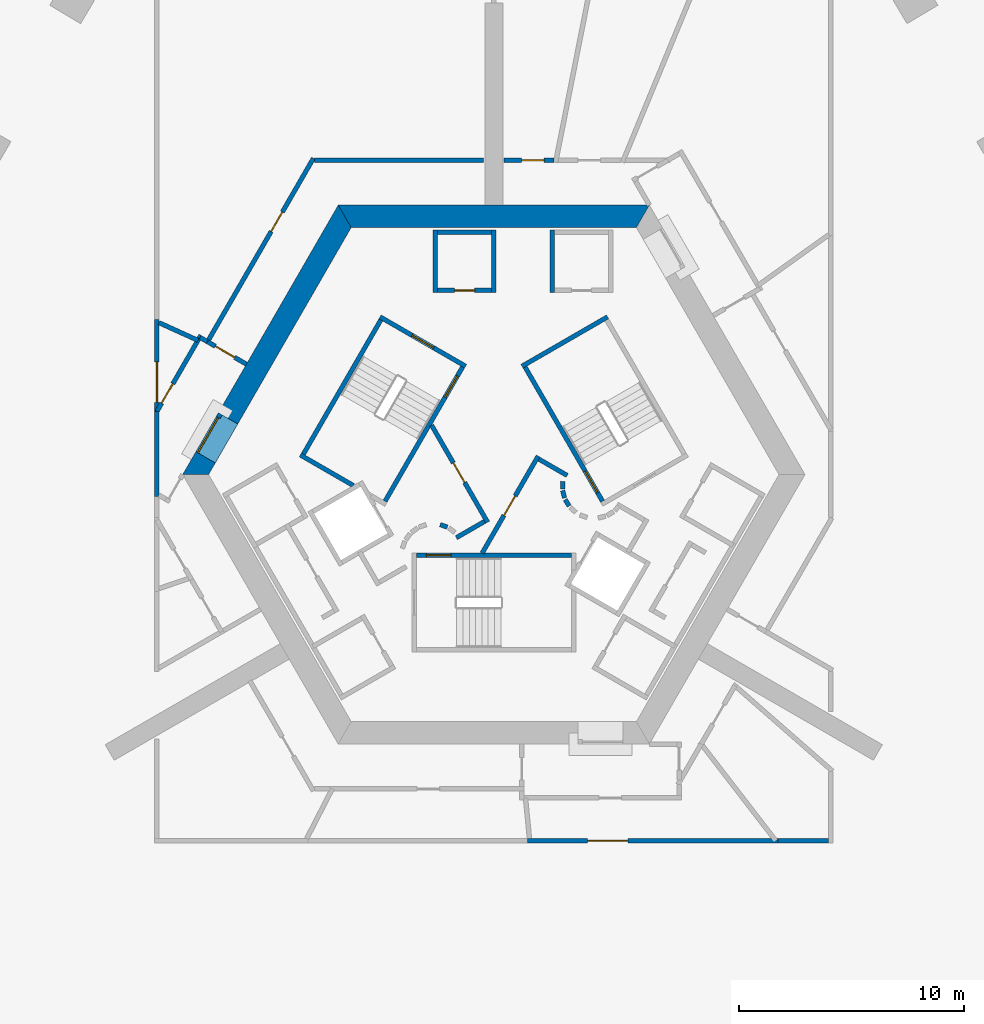
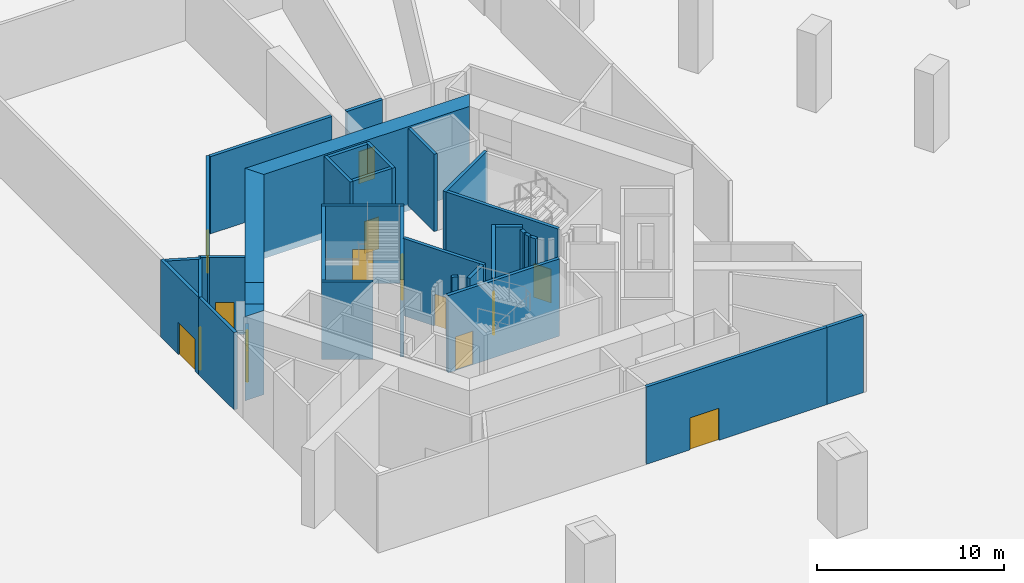
# One storey, part 4 of 12: 36 walls, 14 doors, 14 openings.
"""IFC4 building model written with IfcOpenShell, lengths in metres."""

import ifcopenshell
import ifcopenshell.guid

model = None  # the IFC model being written
_history = None  # IfcOwnerHistory: only IFC2X3 demands one
_inside = {}  # id of a spatial element -> (the spatial element, [elements in it])
_under = {}  # id of a project, library or spatial element -> (it, [spatial elements below it])
_declared = {}  # id of a project -> (the project, [libraries it declares])
_typed = {}  # id of a type object -> (the type object, [elements of that type])
_made_of = {}  # id of a material, layer set ... -> (it, [elements and type objects made of it])


def new_model(schema):
    """Start an empty IFC model of exactly this schema.

    Asked for "IFC4X3", IfcOpenShell would pick the latest addendum, in which some entities
    have other attributes; the version numbers below select the first issue.
    IFC2X3 requires an IfcOwnerHistory on every rooted entity: one is made here for all.
    """
    global model, _history
    if schema == "IFC4X3":
        model = ifcopenshell.file(schema_version=(4, 3, 0, 0))
    else:
        model = ifcopenshell.file(schema=schema)
    _inside.clear()
    _under.clear()
    _declared.clear()
    _typed.clear()
    _made_of.clear()
    _history = None
    if model.schema == "IFC2X3":
        org = make("IfcOrganization", Name="unknown")
        user = make(
            "IfcPersonAndOrganization",
            ThePerson=make("IfcPerson", FamilyName="unknown"),
            TheOrganization=org,
        )
        app = make(
            "IfcApplication",
            ApplicationDeveloper=org,
            Version="unknown",
            ApplicationFullName="unknown",
            ApplicationIdentifier="unknown",
        )
        _history = make(
            "IfcOwnerHistory",
            OwningUser=user,
            OwningApplication=app,
            ChangeAction="ADDED",
            CreationDate=0,
        )
    return model


def make(cls, **values):
    """One entity of the class cls with the attributes given. An attribute that is None is left unset."""
    return model.create_entity(
        cls, **{name: value for name, value in values.items() if value is not None}
    )


def rooted(cls, **values):
    """An entity with a GlobalId (a new one), such as an element, a storey or a relation."""
    return make(cls, GlobalId=ifcopenshell.guid.new(), OwnerHistory=_history, **values)


def si_unit(unit_type, name, prefix=None):
    """IfcSIUnit, for example si_unit("LENGTHUNIT", "METRE", prefix="MILLI")."""
    return make("IfcSIUnit", UnitType=unit_type, Prefix=prefix, Name=name)


def assignment(units):
    """IfcUnitAssignment: the units of a project."""
    return None if units is None else make("IfcUnitAssignment", Units=units)


def point(xyz):
    """IfcCartesianPoint."""
    return None if xyz is None else make("IfcCartesianPoint", Coordinates=xyz)


def direction(xyz):
    """IfcDirection."""
    return None if xyz is None else make("IfcDirection", DirectionRatios=xyz)


def frame(location, z_axis=None, x_axis=None):
    """IfcAxis2Placement3D, a coordinate frame: its origin and axes. An axis left out is left unset."""
    return make(
        "IfcAxis2Placement3D",
        Location=point(location),
        Axis=direction(z_axis),
        RefDirection=direction(x_axis),
    )


def frame_2d(location, x_axis=None):
    """IfcAxis2Placement2D, a coordinate frame in the plane: its origin and x axis."""
    return make(
        "IfcAxis2Placement2D", Location=point(location), RefDirection=direction(x_axis)
    )


def origin():
    """The frame at (0, 0, 0) with its axes left unset."""
    return frame((0.0, 0.0, 0.0))


def place(relative_to, where):
    """IfcLocalPlacement: puts the frame where relative to a parent placement (None: the world)."""
    return make(
        "IfcLocalPlacement", PlacementRelTo=relative_to, RelativePlacement=where
    )


def context(
    kind, dimensions, precision=None, world=None, true_north=None, identifier=None
):
    """IfcGeometricRepresentationContext, for example the 3D "Model" context."""
    return make(
        "IfcGeometricRepresentationContext",
        ContextIdentifier=identifier,
        ContextType=kind,
        CoordinateSpaceDimension=dimensions,
        Precision=precision,
        WorldCoordinateSystem=world,
        TrueNorth=true_north,
    )


def subcontext(parent, identifier, kind, view, scale=None):
    """IfcGeometricRepresentationSubContext, for example "Body" below "Model"."""
    return make(
        "IfcGeometricRepresentationSubContext",
        ContextIdentifier=identifier,
        ContextType=kind,
        ParentContext=parent,
        TargetScale=scale,
        TargetView=view,
    )


def project(units=None, contexts=None):
    """IfcProject with its units and contexts."""
    return rooted(
        "IfcProject",
        Name="project",
        RepresentationContexts=contexts,
        UnitsInContext=assignment(units),
    )


def spatial(cls, under=None, at=None, **own):
    """A site, building, storey or space (cls), placed at a placement, below another one or the project."""
    s = rooted(cls, ObjectPlacement=at, **own)
    if under is not None:
        _under.setdefault(under.id(), (under, []))[1].append(s)
    return s


def polyline(points):
    """IfcPolyline through the points."""
    return make("IfcPolyline", Points=[point(p) for p in points])


def profile(cls, at=None, kind="AREA", **sizes):
    """A parametric profile (cls). Its sizes go by their IFC names, for example OverallWidth=200.0."""
    return make(cls, ProfileType=kind, Position=at, **sizes)


def rectangle(**sizes):
    """IfcRectangleProfileDef."""
    return profile("IfcRectangleProfileDef", **sizes)


def outline(outer, holes=None, kind="AREA"):
    """IfcArbitraryClosedProfileDef: a profile drawn as a closed curve; with holes, ...WithVoids."""
    if holes is None:
        return make("IfcArbitraryClosedProfileDef", ProfileType=kind, OuterCurve=outer)
    return make(
        "IfcArbitraryProfileDefWithVoids",
        ProfileType=kind,
        OuterCurve=outer,
        InnerCurves=holes,
    )


def extrude(swept, where, along, depth):
    """IfcExtrudedAreaSolid: the profile swept, set in the frame where, extruded along a direction by depth."""
    return make(
        "IfcExtrudedAreaSolid",
        SweptArea=swept,
        Position=where,
        ExtrudedDirection=direction(along),
        Depth=depth,
    )


def shape(context_of_items, identifier, shape_type, items):
    """IfcShapeRepresentation: the items that make up one representation, for example the "Body"."""
    return make(
        "IfcShapeRepresentation",
        ContextOfItems=context_of_items,
        RepresentationIdentifier=identifier,
        RepresentationType=shape_type,
        Items=items,
    )


def material(Name=None, Category=None):
    """IfcMaterial."""
    return make("IfcMaterial", Name=Name, Category=Category)


def layer(
    of_material, thickness, ventilated=None, Name=None, Category=None, Priority=None
):
    """IfcMaterialLayer: one layer of a wall or slab, of a material (None: an air gap)."""
    return make(
        "IfcMaterialLayer",
        Material=of_material,
        LayerThickness=thickness,
        IsVentilated=ventilated,
        Name=Name,
        Category=Category,
        Priority=Priority,
    )


def layer_set(layers, Name=None):
    """IfcMaterialLayerSet."""
    return make("IfcMaterialLayerSet", MaterialLayers=layers, LayerSetName=Name)


def made_of(thing, what):
    """Note that an element or type object is made of a material, layer set ...; save() writes the relation."""
    if what is not None:
        _made_of.setdefault(what.id(), (what, []))[1].append(thing)
    return thing


def type_object(cls, material=None, **own):
    """A type object (cls), such as IfcWallType, which elements share."""
    return made_of(rooted(cls, **own), material)


def element(
    cls,
    number,
    at=None,
    inside=None,
    cuts=None,
    type_object=None,
    material=None,
    context=None,
    identifier="Body",
    shape_type=None,
    held_by="IfcProductDefinitionShape",
    body=None,
    shapes=None,
    **own,
):
    """One element of the class cls, such as IfcWall. Its Tag is "e" and its number.

    at: its placement. inside: the storey or other place that contains it. cuts: it is an
    opening in that element (IfcRelVoidsElement). A single representation is given by context,
    identifier, shape_type and body (its items); several are given by shapes. held_by: the class
    of the entity that holds the representations. save() writes the other relations.
    """
    e = rooted(cls, Tag="e%d" % number, ObjectPlacement=at, **own)
    if body is not None:
        shapes = [shape(context, identifier, shape_type, body)]
    if shapes is not None:
        e.Representation = make(held_by, Representations=shapes)
    if inside is not None:
        _inside.setdefault(inside.id(), (inside, []))[1].append(e)
    if cuts is not None:
        rooted(
            "IfcRelVoidsElement", RelatingBuildingElement=cuts, RelatedOpeningElement=e
        )
    if type_object is not None:
        _typed.setdefault(type_object.id(), (type_object, []))[1].append(e)
    return made_of(e, material)


def fill(opening, filler):
    """IfcRelFillsElement: the door or window that sits in an opening."""
    return rooted(
        "IfcRelFillsElement",
        RelatingOpeningElement=opening,
        RelatedBuildingElement=filler,
    )


def aggregate(whole, parts):
    """IfcRelAggregates: a whole, such as a stair, and the parts it consists of."""
    return rooted("IfcRelAggregates", RelatingObject=whole, RelatedObjects=parts)


def save(model, path):
    """Write the relations noted so far, then the file.

    IfcRelAggregates (storeys below a building ...), IfcRelContainedInSpatialStructure (elements
    in a storey), IfcRelDefinesByType, IfcRelAssociatesMaterial and IfcRelDeclares: one each for
    every whole, place, type object, material and project.
    """
    for whole, parts in _under.values():
        aggregate(whole, parts)
    for where, things in _inside.values():
        rooted(
            "IfcRelContainedInSpatialStructure",
            RelatedElements=things,
            RelatingStructure=where,
        )
    for kind, things in _typed.values():
        rooted("IfcRelDefinesByType", RelatedObjects=things, RelatingType=kind)
    for what, things in _made_of.values():
        rooted("IfcRelAssociatesMaterial", RelatedObjects=things, RelatingMaterial=what)
    for by, libraries in _declared.values():
        rooted("IfcRelDeclares", RelatingContext=by, RelatedDefinitions=libraries)
    model.write(path)


model = new_model("IFC4")

# Units and contexts
model_context = context("Model", 3, precision=1e-05, world=origin(), true_north=direction((0.0, 1.0)))
body_context = subcontext(model_context, "Body", "Model", "MODEL_VIEW")
ifc_project = project(units=[si_unit("LENGTHUNIT", "METRE"), si_unit("AREAUNIT", "SQUARE_METRE"), si_unit("VOLUMEUNIT", "CUBIC_METRE"), si_unit("PLANEANGLEUNIT", "RADIAN"), si_unit("MASSUNIT", "GRAM", prefix="KILO")], contexts=[model_context])

# Site, building, storey
site_placement = place(None, origin())
site = spatial("IfcSite", under=ifc_project, at=site_placement, CompositionType="ELEMENT")
building_placement = place(site_placement, origin())
building = spatial("IfcBuilding", under=site, at=building_placement, Name="Entoto Arch Interchange Tower", CompositionType="ELEMENT")
storey_placement = place(building_placement, frame((0.0, 0.0, -11.0)))
storey = spatial("IfcBuildingStorey", under=building, at=storey_placement, Name="B2", CompositionType="ELEMENT", Elevation=-11.0)

# Wall, opening, door
ifc_material_1 = material(Name="Reinforced concrete C40/50", Category="concrete")
ifc_layer_1 = layer(ifc_material_1, 0.199951171875)
ifc_layer_set_1 = layer_set([ifc_layer_1], Name="Reinforced concrete C40/50")
wall_type_1 = type_object("IfcWallType", Name="CORE GAP INFILL WALL", PredefinedType="PARTITIONING", material=ifc_layer_set_1)
wall_1_placement = place(storey_placement, frame((-12.179931640625, 5.201904296875, 0.0), z_axis=(0.0, 0.0, 1.0), x_axis=(-0.50002537861, -0.866010750942, 0.0)))
wall_1 = element("IfcWall", 1, at=wall_1_placement, inside=storey, type_object=wall_type_1, Name="wall:B2:gap3", PredefinedType="PARTITIONING", context=body_context, shape_type="SweptSolid", body=[
    extrude(rectangle(XDim=2.0, YDim=0.199951171875, at=frame_2d((1.0, 0.0))), origin(), (0.0, 0.0, 1.0), 2.39990234375),
])
opening_1_placement = place(wall_1_placement, frame((0.18994140625, 0.0, 0.0)))
opening_1 = element("IfcOpeningElement", 2, at=opening_1_placement, cuts=wall_1, Name="Opening B2-D93", PredefinedType="OPENING", context=body_context, shape_type="SweptSolid", body=[
    extrude(rectangle(XDim=1.800048828125, YDim=2.10009765625, at=frame_2d((0.89990234375, 1.050048828125))), frame((0.0, 0.10986328125, 0.0), z_axis=(0.0, -1.0, 0.0), x_axis=(1.0, 0.0, 0.0)), (0.0, 0.0, 1.0), 0.219970703125),
])
ifc_material_2 = material(Name="Fire-rated Steel S235 door and frame", Category="steel")
door_type_1 = type_object("IfcDoorType", Name="DOOR FD-18 1800x2100", OperationType="DOUBLE_DOOR_SINGLE_SWING", PredefinedType="DOOR", material=ifc_material_2)
door_1_placement = place(opening_1_placement, origin())
door_1 = element("IfcDoor", 3, at=door_1_placement, inside=storey, type_object=door_type_1, Name="door:B2:gap3", OperationType="DOUBLE_DOOR_SINGLE_SWING", OverallHeight=2.10009765625, OverallWidth=1.800048828125, PredefinedType="DOOR", context=body_context, shape_type="SweptSolid", body=[
    extrude(rectangle(XDim=1.800048828125, YDim=2.10009765625, at=frame_2d((0.89990234375, 1.050048828125))), frame((0.0, 0.02490234375, 0.0), z_axis=(0.0, -1.0, 0.0), x_axis=(1.0, 0.0, 0.0)), (0.0, 0.0, 1.0), 0.050048828125),
])
fill(opening_1, door_1)

# Walls
ifc_material_3 = material(Name="Concrete C60/75", Category="concrete")
ifc_layer_2 = layer(ifc_material_3, 1.0)
ifc_layer_set_2 = layer_set([ifc_layer_2], Name="Concrete C60/75")
wall_type_2 = type_object("IfcWallType", Name="Core wall 1000 C60/75", PredefinedType="SHEAR", material=ifc_layer_set_2)
wall_2_placement = place(storey_placement, frame((0.0, 0.0, -0.419921875)))
element("IfcWall", 4, at=wall_2_placement, inside=storey, type_object=wall_type_2, Name="Core wall N B2", PredefinedType="SHEAR", context=body_context, shape_type="SweptSolid", body=[
    extrude(outline(polyline([(6.927978515625, 14.5), (-6.927978515625, 14.5), (-6.35107421875, 13.5), (6.35107421875, 13.5), (6.927978515625, 14.5)])), origin(), (0.0, 0.0, 1.0), 5.5),
])
wall_3_placement = place(storey_placement, frame((0.0, 0.0, -0.419921875)))
element("IfcWall", 5, at=wall_3_placement, inside=storey, type_object=wall_type_2, Name="Core wall NW B2", PredefinedType="SHEAR", context=body_context, shape_type="SweptSolid", body=[
    extrude(outline(polyline([(-12.26708984375, 5.251953125), (-11.402099609375, 4.751953125), (-6.35107421875, 13.5), (-6.927978515625, 14.5), (-12.26708984375, 5.251953125)])), origin(), (0.0, 0.0, 1.0), 5.5),
])
wall_4_placement = place(storey_placement, frame((0.0, 0.0, -0.419921875)))
element("IfcWall", 6, at=wall_4_placement, inside=storey, type_object=wall_type_2, Name="Core wall NW B2", PredefinedType="SHEAR", context=body_context, shape_type="SweptSolid", body=[
    extrude(outline(polyline([(-12.402099609375, 3.02001953125), (-13.26708984375, 3.52001953125), (-13.85595703125, 2.5), (-12.701904296875, 2.5), (-12.402099609375, 3.02001953125)])), origin(), (0.0, 0.0, 1.0), 5.5),
])
wall_5_placement = place(storey_placement, frame((0.0, 0.0, 3.60009765625)))
element("IfcWall", 7, at=wall_5_placement, inside=storey, type_object=wall_type_2, Name="Core wall lintel NW B2", PredefinedType="SHEAR", context=body_context, shape_type="SweptSolid", body=[
    extrude(outline(polyline([(-13.26708984375, 3.52001953125), (-12.402099609375, 3.02001953125), (-11.402099609375, 4.751953125), (-12.26708984375, 5.251953125), (-13.26708984375, 3.52001953125)])), origin(), (0.0, 0.0, 1.0), 1.47998046875),
])

# Wall, opening, door
ifc_material_4 = material(Name="Gypsum board partition on steel studs", Category="steel")
ifc_layer_3 = layer(ifc_material_4, 0.199951171875)
ifc_layer_set_3 = layer_set([ifc_layer_3], Name="Gypsum board partition on steel studs")
wall_type_3 = type_object("IfcWallType", Name="PARTITION 200", PredefinedType="PARTITIONING", material=ifc_layer_set_3)
wall_6_placement = place(storey_placement, frame((12.65087890625, -13.800048828125, 0.0), z_axis=(0.0, 0.0, 1.0), x_axis=(-1.0, 0.0, 0.0)))
wall_6 = element("IfcWall", 8, at=wall_6_placement, inside=storey, type_object=wall_type_3, Name="wall:B2:p016", PredefinedType="PARTITIONING", context=body_context, shape_type="SweptSolid", body=[
    extrude(rectangle(XDim=11.15380859375, YDim=0.199951171875, at=frame_2d((5.576904296875, 0.0))), origin(), (0.0, 0.0, 1.0), 5.050048828125),
])
opening_2_placement = place(wall_6_placement, frame((6.675048828125, 0.0, 0.0)))
opening_2 = element("IfcOpeningElement", 9, at=opening_2_placement, cuts=wall_6, Name="Opening B2-D20", PredefinedType="OPENING", context=body_context, shape_type="SweptSolid", body=[
    extrude(rectangle(XDim=1.800048828125, YDim=2.10009765625, at=frame_2d((0.89990234375, 1.050048828125))), frame((0.0, 0.10986328125, 0.0), z_axis=(0.0, -1.0, 0.0), x_axis=(1.0, 0.0, 0.0)), (0.0, 0.0, 1.0), 0.219970703125),
])
ifc_material_5 = material(Name="Timber door leaf in Steel S235 frame", Category="steel")
door_type_2 = type_object("IfcDoorType", Name="DOOR DD-18 1800x2100", OperationType="DOUBLE_DOOR_SINGLE_SWING", PredefinedType="DOOR", material=ifc_material_5)
door_2_placement = place(opening_2_placement, origin())
door_2 = element("IfcDoor", 10, at=door_2_placement, inside=storey, type_object=door_type_2, Name="door:B2:20", OperationType="DOUBLE_DOOR_SINGLE_SWING", OverallHeight=2.10009765625, OverallWidth=1.800048828125, PredefinedType="DOOR", context=body_context, shape_type="SweptSolid", body=[
    extrude(rectangle(XDim=1.800048828125, YDim=2.10009765625, at=frame_2d((0.89990234375, 1.050048828125))), frame((0.0, 0.02490234375, 0.0), z_axis=(0.0, -1.0, 0.0), x_axis=(1.0, 0.0, 0.0)), (0.0, 0.0, 1.0), 0.050048828125),
])
fill(opening_2, door_2)

# Wall
wall_7_placement = place(storey_placement, frame((14.89990234375, -13.800048828125, 0.0), z_axis=(0.0, 0.0, 1.0), x_axis=(-1.0, 0.0, 0.0)))
element("IfcWall", 11, at=wall_7_placement, inside=storey, type_object=wall_type_3, Name="wall:B2:p022", PredefinedType="PARTITIONING", context=body_context, shape_type="SweptSolid", body=[
    extrude(rectangle(XDim=2.2490234375, YDim=0.199951171875, at=frame_2d((1.12451171875, 0.0))), origin(), (0.0, 0.0, 1.0), 5.050048828125),
])

# Wall, opening, door
wall_8_placement = place(storey_placement, frame((0.449951171875, 16.5, 0.0), z_axis=(0.0, 0.0, 1.0), x_axis=(1.0, 0.0, 0.0)))
wall_8 = element("IfcWall", 12, at=wall_8_placement, inside=storey, type_object=wall_type_3, Name="wall:B2:p039", PredefinedType="PARTITIONING", context=body_context, shape_type="SweptSolid", body=[
    extrude(rectangle(XDim=2.22216796875, YDim=0.199951171875, at=frame_2d((1.111083984375, 0.0))), origin(), (0.0, 0.0, 1.0), 5.050048828125),
])
opening_3_placement = place(wall_8_placement, frame((0.7919921875, 0.0, 0.0)))
opening_3 = element("IfcOpeningElement", 13, at=opening_3_placement, cuts=wall_8, Name="Opening B2-D12", PredefinedType="OPENING", context=body_context, shape_type="SweptSolid", body=[
    extrude(rectangle(XDim=1.0, YDim=2.10009765625, at=frame_2d((0.5, 1.050048828125))), frame((0.0, 0.10986328125, 0.0), z_axis=(0.0, -1.0, 0.0), x_axis=(1.0, 0.0, 0.0)), (0.0, 0.0, 1.0), 0.219970703125),
])
door_type_3 = type_object("IfcDoorType", Name="DOOR FD-10 1000x2100", OperationType="SINGLE_SWING_LEFT", PredefinedType="DOOR", material=ifc_material_2)
door_3_placement = place(opening_3_placement, origin())
door_3 = element("IfcDoor", 14, at=door_3_placement, inside=storey, type_object=door_type_3, Name="door:B2:12", OperationType="SINGLE_SWING_RIGHT", OverallHeight=2.10009765625, OverallWidth=1.0, PredefinedType="DOOR", context=body_context, shape_type="SweptSolid", body=[
    extrude(rectangle(XDim=1.0, YDim=2.10009765625, at=frame_2d((0.5, 1.050048828125))), frame((0.0, 0.02490234375, 0.0), z_axis=(0.0, -1.0, 0.0), x_axis=(1.0, 0.0, 0.0)), (0.0, 0.0, 1.0), 0.050048828125),
])
fill(opening_3, door_3)

wall_9_placement = place(storey_placement, frame((-12.7490234375, 8.4169921875, 0.0), z_axis=(0.0, 0.0, 1.0), x_axis=(0.866010750942, -0.50002537861, 0.0)))
wall_9 = element("IfcWall", 15, at=wall_9_placement, inside=storey, type_object=wall_type_3, Name="wall:B2:p049", PredefinedType="PARTITIONING", context=body_context, shape_type="SweptSolid", body=[
    extrude(rectangle(XDim=2.0, YDim=0.199951171875, at=frame_2d((1.0, 0.0))), origin(), (0.0, 0.0, 1.0), 5.050048828125),
])
opening_4_placement = place(wall_9_placement, frame((0.39990234375, 0.0, 0.0)))
opening_4 = element("IfcOpeningElement", 16, at=opening_4_placement, cuts=wall_9, Name="Opening B2-D13", PredefinedType="OPENING", context=body_context, shape_type="SweptSolid", body=[
    extrude(rectangle(XDim=1.0, YDim=2.10009765625, at=frame_2d((0.5, 1.050048828125))), frame((0.0, 0.10986328125, 0.0), z_axis=(0.0, -1.0, 0.0), x_axis=(1.0, 0.0, 0.0)), (0.0, 0.0, 1.0), 0.219970703125),
])
door_4_placement = place(opening_4_placement, origin())
door_4 = element("IfcDoor", 17, at=door_4_placement, inside=storey, type_object=door_type_3, Name="door:B2:13", OperationType="SINGLE_SWING_LEFT", OverallHeight=2.10009765625, OverallWidth=1.0, PredefinedType="DOOR", context=body_context, shape_type="SweptSolid", body=[
    extrude(rectangle(XDim=1.0, YDim=2.10009765625, at=frame_2d((0.5, 1.050048828125))), frame((0.0, 0.02490234375, 0.0), z_axis=(0.0, -1.0, 0.0), x_axis=(1.0, 0.0, 0.0)), (0.0, 0.0, 1.0), 0.050048828125),
])
fill(opening_4, door_4)

wall_10_placement = place(storey_placement, frame((-15.0, 5.318115234375, 0.0), z_axis=(0.0, 0.0, 1.0), x_axis=(0.500034145141, 0.866005689181, 0.0)))
wall_10 = element("IfcWall", 18, at=wall_10_placement, inside=storey, type_object=wall_type_3, Name="wall:B2:p052", PredefinedType="PARTITIONING", context=body_context, shape_type="SweptSolid", body=[
    extrude(rectangle(XDim=3.909912109375, YDim=0.199951171875, at=frame_2d((1.955078125, 0.0))), origin(), (0.0, 0.0, 1.0), 5.050048828125),
])
opening_5_placement = place(wall_10_placement, frame((0.41796875, 0.0, 0.0)))
opening_5 = element("IfcOpeningElement", 19, at=opening_5_placement, cuts=wall_10, Name="Opening B2-D15", PredefinedType="OPENING", context=body_context, shape_type="SweptSolid", body=[
    extrude(rectangle(XDim=1.0, YDim=2.10009765625, at=frame_2d((0.5, 1.050048828125))), frame((0.0, 0.10986328125, 0.0), z_axis=(0.0, -1.0, 0.0), x_axis=(1.0, 0.0, 0.0)), (0.0, 0.0, 1.0), 0.219970703125),
])
door_5_placement = place(opening_5_placement, origin())
door_5 = element("IfcDoor", 20, at=door_5_placement, inside=storey, type_object=door_type_3, Name="door:B2:15", OperationType="SINGLE_SWING_LEFT", OverallHeight=2.10009765625, OverallWidth=1.0, PredefinedType="DOOR", context=body_context, shape_type="SweptSolid", body=[
    extrude(rectangle(XDim=1.0, YDim=2.10009765625, at=frame_2d((0.5, 1.050048828125))), frame((0.0, 0.02490234375, 0.0), z_axis=(0.0, -1.0, 0.0), x_axis=(1.0, 0.0, 0.0)), (0.0, 0.0, 1.0), 0.050048828125),
])
fill(opening_5, door_5)

# Walls
wall_11_placement = place(storey_placement, frame((-13.08203125, 8.60888671875, 0.0), z_axis=(0.0, 0.0, 1.0), x_axis=(0.865998573537, -0.500046468473, 0.0)))
element("IfcWall", 21, at=wall_11_placement, inside=storey, type_object=wall_type_3, Name="wall:B2:p053", PredefinedType="PARTITIONING", context=body_context, shape_type="SweptSolid", body=[
    extrude(rectangle(XDim=0.36962890625, YDim=0.199951171875, at=frame_2d((0.184814453125, 0.0))), origin(), (0.0, 0.0, 1.0), 5.050048828125),
])
wall_12_placement = place(storey_placement, frame((-15.0, 1.533935546875, 0.0), z_axis=(0.0, 0.0, 1.0), x_axis=(0.0, 1.0, 0.0)))
element("IfcWall", 22, at=wall_12_placement, inside=storey, type_object=wall_type_3, Name="wall:B2:p054", PredefinedType="PARTITIONING", context=body_context, shape_type="SweptSolid", body=[
    extrude(rectangle(XDim=3.7841796875, YDim=0.199951171875, at=frame_2d((1.89208984375, 0.0))), origin(), (0.0, 0.0, 1.0), 5.050048828125),
])

# Wall, opening, door
wall_13_placement = place(storey_placement, frame((-12.799072265625, 8.330078125, 0.0), z_axis=(0.0, 0.0, 1.0), x_axis=(0.499923440311, 0.86606960103, 0.0)))
wall_13 = element("IfcWall", 23, at=wall_13_placement, inside=storey, type_object=wall_type_3, Name="wall:B2:p055", PredefinedType="PARTITIONING", context=body_context, shape_type="SweptSolid", body=[
    extrude(rectangle(XDim=9.53369140625, YDim=0.199951171875, at=frame_2d((4.766845703125, 0.0))), origin(), (0.0, 0.0, 1.0), 5.050048828125),
])
opening_6_placement = place(wall_13_placement, frame((5.76611328125, 0.0, 0.0)))
opening_6 = element("IfcOpeningElement", 24, at=opening_6_placement, cuts=wall_13, Name="Opening B2-D16", PredefinedType="OPENING", context=body_context, shape_type="SweptSolid", body=[
    extrude(rectangle(XDim=1.0, YDim=2.10009765625, at=frame_2d((0.5, 1.050048828125))), frame((0.0, 0.10986328125, 0.0), z_axis=(0.0, -1.0, 0.0), x_axis=(1.0, 0.0, 0.0)), (0.0, 0.0, 1.0), 0.219970703125),
])
door_6_placement = place(opening_6_placement, origin())
door_6 = element("IfcDoor", 25, at=door_6_placement, inside=storey, type_object=door_type_3, Name="door:B2:16", OperationType="SINGLE_SWING_RIGHT", OverallHeight=2.10009765625, OverallWidth=1.0, PredefinedType="DOOR", context=body_context, shape_type="SweptSolid", body=[
    extrude(rectangle(XDim=1.0, YDim=2.10009765625, at=frame_2d((0.5, 1.050048828125))), frame((0.0, 0.02490234375, 0.0), z_axis=(0.0, -1.0, 0.0), x_axis=(1.0, 0.0, 0.0)), (0.0, 0.0, 1.0), 0.050048828125),
])
fill(opening_6, door_6)

# Walls
wall_14_placement = place(storey_placement, frame((-7.98291015625, 16.5, 0.0), z_axis=(0.0, 0.0, 1.0), x_axis=(1.0, 0.0, 0.0)))
element("IfcWall", 26, at=wall_14_placement, inside=storey, type_object=wall_type_3, Name="wall:B2:p056", PredefinedType="PARTITIONING", context=body_context, shape_type="SweptSolid", body=[
    extrude(rectangle(XDim=7.532958984375, YDim=0.199951171875, at=frame_2d((3.7666015625, 0.0))), origin(), (0.0, 0.0, 1.0), 5.050048828125),
])
wall_15_placement = place(storey_placement, frame((-14.908935546875, 9.263916015625, 0.0), z_axis=(0.0, 0.0, 1.0), x_axis=(0.910722060418, -0.41301976789, 0.0)))
element("IfcWall", 27, at=wall_15_placement, inside=storey, type_object=wall_type_3, Name="wall:B2:p061", PredefinedType="PARTITIONING", context=body_context, shape_type="SweptSolid", body=[
    extrude(rectangle(XDim=1.90283203125, YDim=0.199951171875, at=frame_2d((0.951416015625, 0.0))), origin(), (0.0, 0.0, 1.0), 5.050048828125),
])

# Wall, opening, door
wall_16_placement = place(storey_placement, frame((-15.0, 5.318115234375, 0.0), z_axis=(0.0, 0.0, 1.0), x_axis=(0.0, 1.0, 0.0)))
wall_16 = element("IfcWall", 28, at=wall_16_placement, inside=storey, type_object=wall_type_3, Name="wall:B2:p062", PredefinedType="PARTITIONING", context=body_context, shape_type="SweptSolid", body=[
    extrude(rectangle(XDim=4.0869140625, YDim=0.199951171875, at=frame_2d((2.04345703125, 0.0))), origin(), (0.0, 0.0, 1.0), 5.050048828125),
])
opening_7_placement = place(wall_16_placement, frame((0.39990234375, 0.0, 0.0)))
opening_7 = element("IfcOpeningElement", 29, at=opening_7_placement, cuts=wall_16, Name="Opening B2-D22", PredefinedType="OPENING", context=body_context, shape_type="SweptSolid", body=[
    extrude(rectangle(XDim=1.800048828125, YDim=2.10009765625, at=frame_2d((0.89990234375, 1.050048828125))), frame((0.0, 0.10986328125, 0.0), z_axis=(0.0, -1.0, 0.0), x_axis=(1.0, 0.0, 0.0)), (0.0, 0.0, 1.0), 0.219970703125),
])
door_7_placement = place(opening_7_placement, origin())
door_7 = element("IfcDoor", 30, at=door_7_placement, inside=storey, type_object=door_type_2, Name="door:B2:22", OperationType="DOUBLE_DOOR_SINGLE_SWING", OverallHeight=2.10009765625, OverallWidth=1.800048828125, PredefinedType="DOOR", context=body_context, shape_type="SweptSolid", body=[
    extrude(rectangle(XDim=1.800048828125, YDim=2.10009765625, at=frame_2d((0.89990234375, 1.050048828125))), frame((0.0, 0.02490234375, 0.0), z_axis=(0.0, -1.0, 0.0), x_axis=(1.0, 0.0, 0.0)), (0.0, 0.0, 1.0), 0.050048828125),
])
fill(opening_7, door_7)

# Walls
for number, where, z_axis, x_axis, name in (
    (31, (2.60009765625, 10.60009765625, 0.0), (0.0, 0.0, 1.0), (0.0, 1.0, 0.0), "wall:B2:p071"),
    (32, (0.0, 13.39990234375, 0.0), (0.0, 0.0, 1.0), (0.0, -1.0, 0.0), "wall:B2:p073"),
):
    element("IfcWall", number, at=place(storey_placement, frame(where, z_axis=z_axis, x_axis=x_axis)), inside=storey, type_object=wall_type_3, Name=name, PredefinedType="PARTITIONING", context=body_context, shape_type="SweptSolid", body=[
        extrude(rectangle(XDim=2.7998046875, YDim=0.199951171875, at=frame_2d((1.39990234375, 0.0))), origin(), (0.0, 0.0, 1.0), 5.050048828125),
    ])

# Wall, opening, door
wall_17_placement = place(storey_placement, frame((-0.10009765625, 10.699951171875, 0.0), z_axis=(0.0, 0.0, 1.0), x_axis=(-1.0, 0.0, 0.0)))
wall_17 = element("IfcWall", 33, at=wall_17_placement, inside=storey, type_object=wall_type_3, Name="wall:B2:p074", PredefinedType="PARTITIONING", context=body_context, shape_type="SweptSolid", body=[
    extrude(rectangle(XDim=2.39990234375, YDim=0.199951171875, at=frame_2d((1.199951171875, 0.0))), origin(), (0.0, 0.0, 1.0), 5.050048828125),
])
opening_8_placement = place(wall_17_placement, frame((0.75, 0.0, 0.0)))
opening_8 = element("IfcOpeningElement", 34, at=opening_8_placement, cuts=wall_17, Name="Opening B2-D26", PredefinedType="OPENING", context=body_context, shape_type="SweptSolid", body=[
    extrude(rectangle(XDim=0.89990234375, YDim=2.10009765625, at=frame_2d((0.449951171875, 1.050048828125))), frame((0.0, 0.10986328125, 0.0), z_axis=(0.0, -1.0, 0.0), x_axis=(1.0, 0.0, 0.0)), (0.0, 0.0, 1.0), 0.219970703125),
])
door_type_4 = type_object("IfcDoorType", Name="DOOR DS-09 900x2100", OperationType="SINGLE_SWING_LEFT", PredefinedType="DOOR", material=ifc_material_5)
door_8_placement = place(opening_8_placement, origin())
door_8 = element("IfcDoor", 35, at=door_8_placement, inside=storey, type_object=door_type_4, Name="door:B2:26", OperationType="SINGLE_SWING_RIGHT", OverallHeight=2.10009765625, OverallWidth=0.89990234375, PredefinedType="DOOR", context=body_context, shape_type="SweptSolid", body=[
    extrude(rectangle(XDim=0.89990234375, YDim=2.10009765625, at=frame_2d((0.449951171875, 1.050048828125))), frame((0.0, 0.02490234375, 0.0), z_axis=(0.0, -1.0, 0.0), x_axis=(1.0, 0.0, 0.0)), (0.0, 0.0, 1.0), 0.050048828125),
])
fill(opening_8, door_8)

# Walls
wall_18_placement = place(storey_placement, frame((-2.60009765625, 10.60009765625, 0.0), z_axis=(0.0, 0.0, 1.0), x_axis=(0.0, 1.0, 0.0)))
element("IfcWall", 36, at=wall_18_placement, inside=storey, type_object=wall_type_3, Name="wall:B2:p075", PredefinedType="PARTITIONING", context=body_context, shape_type="SweptSolid", body=[
    extrude(rectangle(XDim=2.7998046875, YDim=0.199951171875, at=frame_2d((1.39990234375, 0.0))), origin(), (0.0, 0.0, 1.0), 5.050048828125),
])
wall_19_placement = place(storey_placement, frame((-2.5, 13.300048828125, 0.0), z_axis=(0.0, 0.0, 1.0), x_axis=(1.0, 0.0, 0.0)))
element("IfcWall", 37, at=wall_19_placement, inside=storey, type_object=wall_type_3, Name="wall:B2:p076", PredefinedType="PARTITIONING", context=body_context, shape_type="SweptSolid", body=[
    extrude(rectangle(XDim=2.39990234375, YDim=0.199951171875, at=frame_2d((1.199951171875, 0.0))), origin(), (0.0, 0.0, 1.0), 5.050048828125),
])
wall_20_placement = place(storey_placement, frame((3.0791015625, 2.198974609375, 0.0), z_axis=(0.0, 0.0, 1.0), x_axis=(-0.047771483479, -0.998858290933, 0.0)))
element("IfcWall", 38, at=wall_20_placement, inside=storey, type_object=wall_type_3, Name="wall:B2:p101", PredefinedType="PARTITIONING", context=body_context, shape_type="SweptSolid", body=[
    extrude(rectangle(XDim=0.33740234375, YDim=0.199951171875, at=frame_2d((0.168701171875, 0.0))), origin(), (0.0, 0.0, 1.0), 5.050048828125),
])
wall_21_placement = place(storey_placement, frame((3.070068359375, 1.785888671875, 0.0), z_axis=(0.0, 0.0, 1.0), x_axis=(0.242705583207, -0.970099994784, 0.0)))
element("IfcWall", 39, at=wall_21_placement, inside=storey, type_object=wall_type_3, Name="wall:B2:p102", PredefinedType="PARTITIONING", context=body_context, shape_type="SweptSolid", body=[
    extrude(rectangle(XDim=0.337890625, YDim=0.199951171875, at=frame_2d((0.1689453125, 0.0))), origin(), (0.0, 0.0, 1.0), 5.050048828125),
])
wall_22_placement = place(storey_placement, frame((3.181884765625, 1.387939453125, 0.0), z_axis=(0.0, 0.0, 1.0), x_axis=(0.512474702713, -0.85870232274, 0.0)))
element("IfcWall", 40, at=wall_22_placement, inside=storey, type_object=wall_type_3, Name="wall:B2:p103", PredefinedType="PARTITIONING", context=body_context, shape_type="SweptSolid", body=[
    extrude(rectangle(XDim=0.337646484375, YDim=0.199951171875, at=frame_2d((0.1689453125, 0.0))), origin(), (0.0, 0.0, 1.0), 5.050048828125),
])

# Wall, opening, door
wall_23_placement = place(storey_placement, frame((-0.52001953125, -1.0, 0.0), z_axis=(0.0, 0.0, 1.0), x_axis=(0.50011622646, 0.865958290007, 0.0)))
wall_23 = element("IfcWall", 41, at=wall_23_placement, inside=storey, type_object=wall_type_3, Name="wall:B2:p111", PredefinedType="PARTITIONING", context=body_context, shape_type="SweptSolid", body=[
    extrude(rectangle(XDim=4.990966796875, YDim=0.199951171875, at=frame_2d((2.49560546875, 0.0))), origin(), (0.0, 0.0, 1.0), 5.050048828125),
])
opening_9_placement = place(wall_23_placement, frame((1.945068359375, 0.0, 0.0)))
opening_9 = element("IfcOpeningElement", 42, at=opening_9_placement, cuts=wall_23, Name="Opening B2-D23", PredefinedType="OPENING", context=body_context, shape_type="SweptSolid", body=[
    extrude(rectangle(XDim=1.0, YDim=2.10009765625, at=frame_2d((0.5, 1.050048828125))), frame((0.0, 0.10986328125, 0.0), z_axis=(0.0, -1.0, 0.0), x_axis=(1.0, 0.0, 0.0)), (0.0, 0.0, 1.0), 0.219970703125),
])
door_9_placement = place(opening_9_placement, origin())
door_9 = element("IfcDoor", 43, at=door_9_placement, inside=storey, type_object=door_type_3, Name="door:B2:23", OperationType="SINGLE_SWING_LEFT", OverallHeight=2.10009765625, OverallWidth=1.0, PredefinedType="DOOR", context=body_context, shape_type="SweptSolid", body=[
    extrude(rectangle(XDim=1.0, YDim=2.10009765625, at=frame_2d((0.5, 1.050048828125))), frame((0.0, 0.02490234375, 0.0), z_axis=(0.0, -1.0, 0.0), x_axis=(1.0, 0.0, 0.0)), (0.0, 0.0, 1.0), 0.050048828125),
])
fill(opening_9, door_9)

# Walls
wall_24_placement = place(storey_placement, frame((2.011962890625, 3.18603515625, 0.0), z_axis=(0.0, 0.0, 1.0), x_axis=(0.865891012941, -0.500232699559, 0.0)))
element("IfcWall", 44, at=wall_24_placement, inside=storey, type_object=wall_type_3, Name="wall:B2:p112", PredefinedType="PARTITIONING", context=body_context, shape_type="SweptSolid", body=[
    extrude(rectangle(XDim=1.449462890625, YDim=0.199951171875, at=frame_2d((0.724609375, 0.0))), origin(), (0.0, 0.0, 1.0), 5.050048828125),
])
wall_25_placement = place(storey_placement, frame((-0.412109375, 0.4140625, 0.0), z_axis=(0.0, 0.0, 1.0), x_axis=(-0.866017369001, -0.500013916395, 0.0)))
element("IfcWall", 45, at=wall_25_placement, inside=storey, type_object=wall_type_3, Name="wall:B2:p113", PredefinedType="PARTITIONING", context=body_context, shape_type="SweptSolid", body=[
    extrude(rectangle(XDim=1.4501953125, YDim=0.199951171875, at=frame_2d((0.72509765625, 0.0))), origin(), (0.0, 0.0, 1.0), 5.050048828125),
])
wall_26_placement = place(storey_placement, frame((-2.070068359375, 0.159912109375, 0.0), z_axis=(0.0, 0.0, 1.0), x_axis=(-0.942199461132, 0.335052496547, 0.0)))
element("IfcWall", 46, at=wall_26_placement, inside=storey, type_object=wall_type_3, Name="wall:B2:p115", PredefinedType="PARTITIONING", context=body_context, shape_type="SweptSolid", body=[
    extrude(rectangle(XDim=0.33740234375, YDim=0.199951171875, at=frame_2d((0.168701171875, 0.0))), origin(), (0.0, 0.0, 1.0), 5.050048828125),
])

# Wall, opening, door
wall_27_placement = place(storey_placement, frame((-2.77099609375, 4.699951171875, 0.0), z_axis=(0.0, 0.0, 1.0), x_axis=(0.499969479948, -0.866043023828, 0.0)))
wall_27 = element("IfcWall", 47, at=wall_27_placement, inside=storey, type_object=wall_type_3, Name="wall:B2:p122", PredefinedType="PARTITIONING", context=body_context, shape_type="SweptSolid", body=[
    extrude(rectangle(XDim=4.990478515625, YDim=0.199951171875, at=frame_2d((2.4951171875, 0.0))), origin(), (0.0, 0.0, 1.0), 5.050048828125),
])
opening_10_placement = place(wall_27_placement, frame((1.945068359375, 0.0, 0.0)))
opening_10 = element("IfcOpeningElement", 48, at=opening_10_placement, cuts=wall_27, Name="Opening B2-D24", PredefinedType="OPENING", context=body_context, shape_type="SweptSolid", body=[
    extrude(rectangle(XDim=1.0, YDim=2.10009765625, at=frame_2d((0.5, 1.050048828125))), frame((0.0, 0.10986328125, 0.0), z_axis=(0.0, -1.0, 0.0), x_axis=(1.0, 0.0, 0.0)), (0.0, 0.0, 1.0), 0.219970703125),
])
door_10_placement = place(opening_10_placement, origin())
door_10 = element("IfcDoor", 49, at=door_10_placement, inside=storey, type_object=door_type_3, Name="door:B2:24", OperationType="SINGLE_SWING_RIGHT", OverallHeight=2.10009765625, OverallWidth=1.0, PredefinedType="DOOR", context=body_context, shape_type="SweptSolid", body=[
    extrude(rectangle(XDim=1.0, YDim=2.10009765625, at=frame_2d((0.5, 1.050048828125))), frame((0.0, 0.02490234375, 0.0), z_axis=(0.0, -1.0, 0.0), x_axis=(1.0, 0.0, 0.0)), (0.0, 0.0, 1.0), 0.050048828125),
])
fill(opening_10, door_10)

ifc_material_6 = material(Name="Concrete C40/50", Category="concrete")
ifc_layer_4 = layer(ifc_material_6, 0.199951171875)
ifc_layer_set_4 = layer_set([ifc_layer_4], Name="Concrete C40/50")
wall_type_4 = type_object("IfcWallType", Name="STAIR ENCLOSURE WALL 200", PredefinedType="STANDARD", material=ifc_layer_set_4)
wall_28_placement = place(storey_placement, frame((-3.449951171875, -1.10009765625, 0.0), z_axis=(0.0, 0.0, 1.0), x_axis=(1.0, 0.0, 0.0)))
wall_28 = element("IfcWall", 50, at=wall_28_placement, inside=storey, type_object=wall_type_4, Name="Stair wall ST-S hall", PredefinedType="STANDARD", context=body_context, shape_type="SweptSolid", body=[
    extrude(rectangle(XDim=6.89990234375, YDim=0.199951171875, at=frame_2d((3.449951171875, 0.0))), origin(), (0.0, 0.0, 1.0), 5.050048828125),
])
opening_11_placement = place(wall_28_placement, frame((0.449951171875, 0.0, 0.0)))
opening_11 = element("IfcOpeningElement", 51, at=opening_11_placement, cuts=wall_28, Name="Opening SD-ST-S-B2", PredefinedType="OPENING", context=body_context, shape_type="SweptSolid", body=[
    extrude(rectangle(XDim=1.10009765625, YDim=2.199951171875, at=frame_2d((0.550048828125, 1.10009765625))), frame((0.0, 0.10986328125, 0.0), z_axis=(0.0, -1.0, 0.0), x_axis=(1.0, 0.0, 0.0)), (0.0, 0.0, 1.0), 0.219970703125),
])
ifc_material_7 = material(Name="Steel S235", Category="steel")
door_type_5 = type_object("IfcDoorType", Name="STAIR DOOR SD1 1100x2200", OperationType="SINGLE_SWING_LEFT", PredefinedType="DOOR", material=ifc_material_7)
door_11_placement = place(opening_11_placement, origin())
door_11 = element("IfcDoor", 52, at=door_11_placement, inside=storey, type_object=door_type_5, Name="Stair door ST-S B2", OperationType="SINGLE_SWING_LEFT", OverallHeight=2.199951171875, OverallWidth=1.10009765625, PredefinedType="DOOR", context=body_context, shape_type="SweptSolid", body=[
    extrude(rectangle(XDim=1.10009765625, YDim=2.199951171875, at=frame_2d((0.550048828125, 1.10009765625))), frame((0.0, 0.02490234375, 0.0), z_axis=(0.0, -1.0, 0.0), x_axis=(1.0, 0.0, 0.0)), (0.0, 0.0, 1.0), 0.050048828125),
])
fill(opening_11, door_11)

# Wall
wall_29_placement = place(storey_placement, frame((1.256103515625, 7.323974609375, 0.0), z_axis=(0.0, 0.0, 1.0), x_axis=(0.866046073146, 0.499964197906, 0.0)))
element("IfcWall", 53, at=wall_29_placement, inside=storey, type_object=wall_type_4, Name="Stair wall ST-NE far", PredefinedType="STANDARD", context=body_context, shape_type="SweptSolid", body=[
    extrude(rectangle(XDim=4.400146484375, YDim=0.199951171875, at=frame_2d((2.2001953125, 0.0))), origin(), (0.0, 0.0, 1.0), 5.050048828125),
])

# Wall, opening, door
wall_30_placement = place(storey_placement, frame((4.843017578125, 1.31201171875, 0.0), z_axis=(0.0, 0.0, 1.0), x_axis=(-0.499963383562, 0.866046543262, 0.0)))
wall_30 = element("IfcWall", 54, at=wall_30_placement, inside=storey, type_object=wall_type_4, Name="Stair wall ST-NE hall", PredefinedType="STANDARD", context=body_context, shape_type="SweptSolid", body=[
    extrude(rectangle(XDim=6.900390625, YDim=0.199951171875, at=frame_2d((3.4501953125, 0.0))), origin(), (0.0, 0.0, 1.0), 5.050048828125),
])
opening_12_placement = place(wall_30_placement, frame((0.449951171875, 0.0, 0.0)))
opening_12 = element("IfcOpeningElement", 55, at=opening_12_placement, cuts=wall_30, Name="Opening SD-ST-NE-B2", PredefinedType="OPENING", context=body_context, shape_type="SweptSolid", body=[
    extrude(rectangle(XDim=1.10009765625, YDim=2.199951171875, at=frame_2d((0.550048828125, 1.10009765625))), frame((0.0, 0.10986328125, 0.0), z_axis=(0.0, -1.0, 0.0), x_axis=(1.0, 0.0, 0.0)), (0.0, 0.0, 1.0), 0.219970703125),
])
door_12_placement = place(opening_12_placement, origin())
door_12 = element("IfcDoor", 56, at=door_12_placement, inside=storey, type_object=door_type_5, Name="Stair door ST-NE B2", OperationType="SINGLE_SWING_LEFT", OverallHeight=2.199951171875, OverallWidth=1.10009765625, PredefinedType="DOOR", context=body_context, shape_type="SweptSolid", body=[
    extrude(rectangle(XDim=1.10009765625, YDim=2.199951171875, at=frame_2d((0.550048828125, 1.10009765625))), frame((0.0, 0.02490234375, 0.0), z_axis=(0.0, -1.0, 0.0), x_axis=(1.0, 0.0, 0.0)), (0.0, 0.0, 1.0), 0.050048828125),
])
fill(opening_12, door_12)

wall_31_placement = place(storey_placement, frame((-1.256103515625, 7.323974609375, 0.0), z_axis=(0.0, 0.0, 1.0), x_axis=(-0.866046073146, 0.499964197906, 0.0)))
wall_31 = element("IfcWall", 57, at=wall_31_placement, inside=storey, type_object=wall_type_4, Name="Stair wall ST-NW near", PredefinedType="STANDARD", context=body_context, shape_type="SweptSolid", body=[
    extrude(rectangle(XDim=4.400146484375, YDim=0.199951171875, at=frame_2d((2.2001953125, 0.0))), origin(), (0.0, 0.0, 1.0), 5.050048828125),
])
opening_13_placement = place(wall_31_placement, frame((1.64990234375, 0.0, 0.0)))
opening_13 = element("IfcOpeningElement", 58, at=opening_13_placement, cuts=wall_31, Name="Opening SD-ST-NW-B2-E", PredefinedType="OPENING", context=body_context, shape_type="SweptSolid", body=[
    extrude(rectangle(XDim=1.10009765625, YDim=2.199951171875, at=frame_2d((0.550048828125, 1.10009765625))), frame((0.0, 0.10986328125, 0.0), z_axis=(0.0, -1.0, 0.0), x_axis=(1.0, 0.0, 0.0)), (0.0, 0.0, 1.0), 0.219970703125),
])
door_13_placement = place(opening_13_placement, origin())
door_13 = element("IfcDoor", 59, at=door_13_placement, inside=storey, type_object=door_type_5, Name="Stair door ST-NW B2 end", OperationType="SINGLE_SWING_LEFT", OverallHeight=2.199951171875, OverallWidth=1.10009765625, PredefinedType="DOOR", context=body_context, shape_type="SweptSolid", body=[
    extrude(rectangle(XDim=1.10009765625, YDim=2.199951171875, at=frame_2d((0.550048828125, 1.10009765625))), frame((0.0, 0.02490234375, 0.0), z_axis=(0.0, -1.0, 0.0), x_axis=(1.0, 0.0, 0.0)), (0.0, 0.0, 1.0), 0.050048828125),
])
fill(opening_13, door_13)

# Wall
wall_32_placement = place(storey_placement, frame((-6.25, 2.010009765625, 0.0), z_axis=(0.0, 0.0, 1.0), x_axis=(-0.86611865017, 0.499838457731, 0.0)))
element("IfcWall", 60, at=wall_32_placement, inside=storey, type_object=wall_type_4, Name="Stair wall ST-NW far", PredefinedType="STANDARD", context=body_context, shape_type="SweptSolid", body=[
    extrude(rectangle(XDim=2.73291015625, YDim=0.199951171875, at=frame_2d((1.366455078125, 0.0))), origin(), (0.0, 0.0, 1.0), 5.050048828125),
])

# Wall, opening, door
wall_33_placement = place(storey_placement, frame((-1.39306640625, 7.2880859375, 0.0), z_axis=(0.0, 0.0, 1.0), x_axis=(-0.499963383562, -0.866046543262, 0.0)))
wall_33 = element("IfcWall", 61, at=wall_33_placement, inside=storey, type_object=wall_type_4, Name="Stair wall ST-NW hall", PredefinedType="STANDARD", context=body_context, shape_type="SweptSolid", body=[
    extrude(rectangle(XDim=6.900390625, YDim=0.199951171875, at=frame_2d((3.4501953125, 0.0))), origin(), (0.0, 0.0, 1.0), 5.050048828125),
])
opening_14_placement = place(wall_33_placement, frame((0.449951171875, 0.0, 0.0)))
opening_14 = element("IfcOpeningElement", 62, at=opening_14_placement, cuts=wall_33, Name="Opening SD-ST-NW-B2", PredefinedType="OPENING", context=body_context, shape_type="SweptSolid", body=[
    extrude(rectangle(XDim=1.10009765625, YDim=2.199951171875, at=frame_2d((0.550048828125, 1.10009765625))), frame((0.0, 0.10986328125, 0.0), z_axis=(0.0, -1.0, 0.0), x_axis=(1.0, 0.0, 0.0)), (0.0, 0.0, 1.0), 0.219970703125),
])
door_14_placement = place(opening_14_placement, origin())
door_14 = element("IfcDoor", 63, at=door_14_placement, inside=storey, type_object=door_type_5, Name="Stair door ST-NW B2", OperationType="SINGLE_SWING_LEFT", OverallHeight=2.199951171875, OverallWidth=1.10009765625, PredefinedType="DOOR", context=body_context, shape_type="SweptSolid", body=[
    extrude(rectangle(XDim=1.10009765625, YDim=2.199951171875, at=frame_2d((0.550048828125, 1.10009765625))), frame((0.0, 0.02490234375, 0.0), z_axis=(0.0, -1.0, 0.0), x_axis=(1.0, 0.0, 0.0)), (0.0, 0.0, 1.0), 0.050048828125),
])
fill(opening_14, door_14)

# Wall
wall_34_placement = place(storey_placement, frame((-5.030029296875, 9.387939453125, 0.0), z_axis=(0.0, 0.0, 1.0), x_axis=(-0.499978703459, -0.866037698999, 0.0)))
element("IfcWall", 64, at=wall_34_placement, inside=storey, type_object=wall_type_4, Name="Stair wall ST-NW back", PredefinedType="STANDARD", context=body_context, shape_type="SweptSolid", body=[
    extrude(rectangle(XDim=6.900146484375, YDim=0.199951171875, at=frame_2d((3.4501953125, 0.0))), origin(), (0.0, 0.0, 1.0), 5.050048828125),
])

save(model, "model.ifc")
